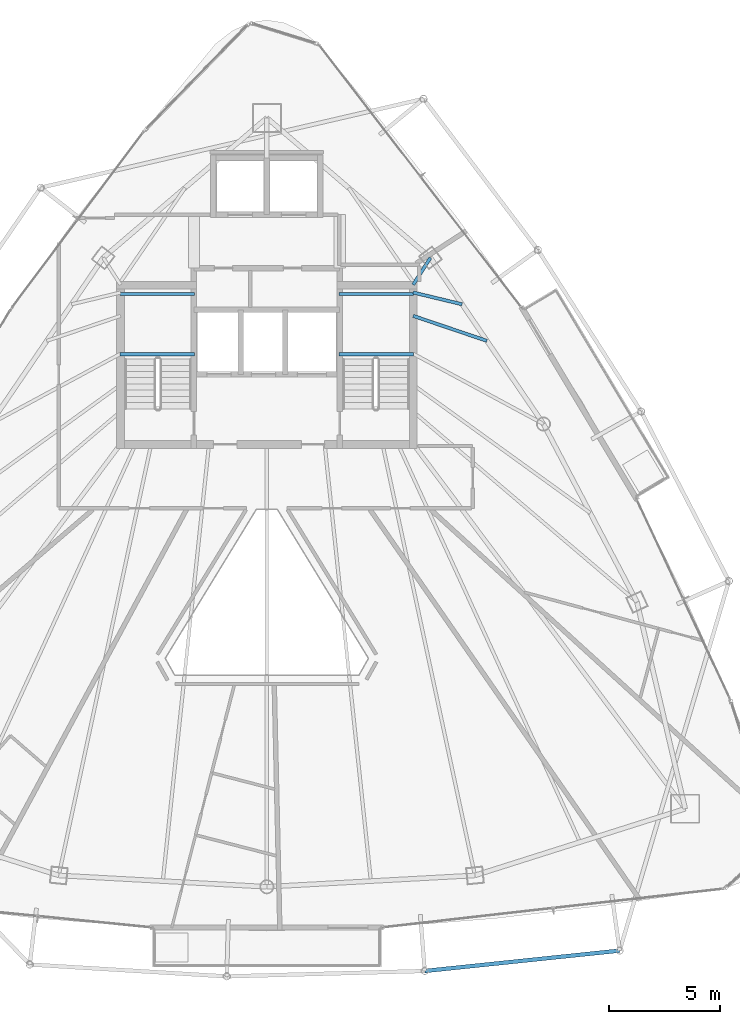
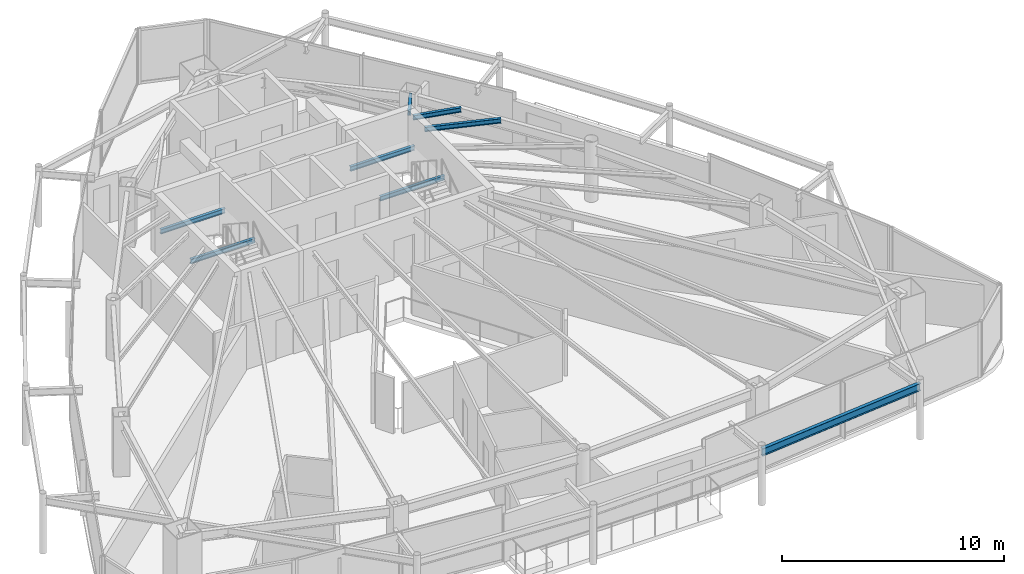
# One storey, part 13 of 30: 8 beams.
"""IFC4 building model written with IfcOpenShell, lengths in metres."""

from ifc_helpers import new_model, si_unit, direction, frame, origin, origin_2d, place, context, subcontext, project, spatial, i_section, extrude, material, material_profile, profile_set, type_object, element, save


model = new_model("IFC4")

# Units and contexts
model_context = context("Model", 3, precision=1e-05, world=origin(), true_north=direction((0.0, 1.0)))
body_context = subcontext(model_context, "Body", "Model", "MODEL_VIEW")
ifc_project = project(units=[si_unit("LENGTHUNIT", "METRE"), si_unit("AREAUNIT", "SQUARE_METRE"), si_unit("VOLUMEUNIT", "CUBIC_METRE"), si_unit("PLANEANGLEUNIT", "RADIAN"), si_unit("MASSUNIT", "GRAM", prefix="KILO")], contexts=[model_context])

# Site, building, storey
site_placement = place(None, origin())
site = spatial("IfcSite", under=ifc_project, at=site_placement, CompositionType="ELEMENT")
building_placement = place(site_placement, origin())
building = spatial("IfcBuilding", under=site, at=building_placement, Name="Orvanel Arch Residences", CompositionType="ELEMENT")
storey_placement = place(building_placement, frame((0.0, 0.0, 229.39990234375)))
storey = spatial("IfcBuildingStorey", under=building, at=storey_placement, Name="L65", CompositionType="ELEMENT", Elevation=229.39990234375)

# Beams
ifc_material = material(Name="Structural steel AS/NZS 3679.1 Grade 300 (300 MPa)", Category="steel")
ifc_material_profile_1 = material_profile(ifc_material, i_section(OverallWidth=0.14599609375, OverallDepth=0.251953125, WebThickness=0.006103515625, FlangeThickness=0.008544921875, at=origin_2d()), Name="250UB31.4")
ifc_profile_set_1 = profile_set([ifc_material_profile_1], Name="Structural steel AS/NZS 3679.1 Grade 300 (300 MPa)")
beam_type_1 = type_object("IfcBeamType", Name="BJ-250UB", PredefinedType="JOIST", material=ifc_profile_set_1)
for number, where, z_axis, x_axis, name in (
    (1, (26.39990234375, 30.780029296875, 1.32421875), (1.0, 0.0, 0.0), (0.0, 1.0, 0.0), "L65 ST-1 Half-Landing Support Beam 1.1"),
    (2, (26.39990234375, 33.47998046875, 1.32421875), (1.0, 0.0, 0.0), (0.0, 1.0, 0.0), "L65 ST-1 Half-Landing Support Beam 1.2"),
    (3, (36.25, 30.780029296875, 1.32421875), (1.0, 0.0, 0.0), (0.0, 1.0, 0.0), "L65 ST-2 Half-Landing Support Beam 1.1"),
    (4, (36.25, 33.47998046875, 1.32421875), (1.0, 0.0, 0.0), (0.0, 1.0, 0.0), "L65 ST-2 Half-Landing Support Beam 1.2"),
):
    element("IfcBeam", number, at=place(storey_placement, frame(where, z_axis=z_axis, x_axis=x_axis)), inside=storey, type_object=beam_type_1, Name=name, PredefinedType="JOIST", context=body_context, shape_type="SweptSolid", body=[
        extrude(i_section(OverallWidth=0.14599609375, OverallDepth=0.251953125, WebThickness=0.006103515625, FlangeThickness=0.008544921875, at=origin_2d()), origin(), (0.0, 0.0, 1.0), 3.35009765625),
    ])
beam_1_placement = place(storey_placement, frame((39.574951171875, 33.89990234375, 2.93408203125), z_axis=(0.539395075146, 0.842052820735, 0.0), x_axis=(-0.842052820735, 0.539395075146, 0.0)))
element("IfcBeam", 5, at=beam_1_placement, inside=storey, type_object=beam_type_1, Name="L65 NNE Wing Floor Joist", PredefinedType="JOIST", context=body_context, shape_type="SweptSolid", body=[
    extrude(i_section(OverallWidth=0.14599609375, OverallDepth=0.251953125, WebThickness=0.006103515625, FlangeThickness=0.008544921875, at=origin_2d()), origin(), (0.0, 0.0, 1.0), 1.440673828125),
])
beam_2_placement = place(storey_placement, frame((39.574951171875, 32.5, 2.93408203125), z_axis=(0.947159269453, -0.320763648641, 0.0), x_axis=(0.320763648641, 0.947159269453, 0.0)))
element("IfcBeam", 6, at=beam_2_placement, inside=storey, type_object=beam_type_1, Name="L65 ENE Wing Floor Joist", PredefinedType="JOIST", context=body_context, shape_type="SweptSolid", body=[
    extrude(i_section(OverallWidth=0.14599609375, OverallDepth=0.251953125, WebThickness=0.006103515625, FlangeThickness=0.008544921875, at=origin_2d()), origin(), (0.0, 0.0, 1.0), 3.501220703125),
])
beam_3_placement = place(storey_placement, frame((39.574951171875, 33.550048828125, 2.93408203125), z_axis=(0.972256833016, -0.23391590509, 0.0), x_axis=(0.23391590509, 0.972256833016, 0.0)))
element("IfcBeam", 7, at=beam_3_placement, inside=storey, type_object=beam_type_1, Name="L65 JADD4 Wing Floor Joist", PredefinedType="JOIST", context=body_context, shape_type="SweptSolid", body=[
    extrude(i_section(OverallWidth=0.14599609375, OverallDepth=0.251953125, WebThickness=0.006103515625, FlangeThickness=0.008544921875, at=origin_2d()), origin(), (0.0, 0.0, 1.0), 2.26171875),
])
ifc_material_profile_2 = material_profile(ifc_material, i_section(OverallWidth=0.177978515625, OverallDepth=0.406005859375, WebThickness=0.0078125, FlangeThickness=0.0126953125, at=origin_2d()), Name="410UB59.7")
ifc_profile_set_2 = profile_set([ifc_material_profile_2], Name="Structural steel AS/NZS 3679.1 Grade 300 (300 MPa)")
beam_type_2 = type_object("IfcBeamType", Name="OB-410UB-EXT", PredefinedType="SPANDREL", material=ifc_profile_set_2)
beam_4_placement = place(storey_placement, frame((40.096923828125, 3.06005859375, 2.857177734375), z_axis=(0.994597734861, 0.103804363151, 0.0), x_axis=(-0.103804363151, 0.994597734861, 0.0)))
element("IfcBeam", 8, at=beam_4_placement, inside=storey, type_object=beam_type_2, Name="L65 Outer Perimeter Floor Ring Beam 07", PredefinedType="SPANDREL", context=body_context, shape_type="SweptSolid", body=[
    extrude(i_section(OverallWidth=0.177978515625, OverallDepth=0.406005859375, WebThickness=0.0078125, FlangeThickness=0.0126953125, at=origin_2d()), origin(), (0.0, 0.0, 1.0), 8.8056640625),
])

save(model, "model.ifc")
